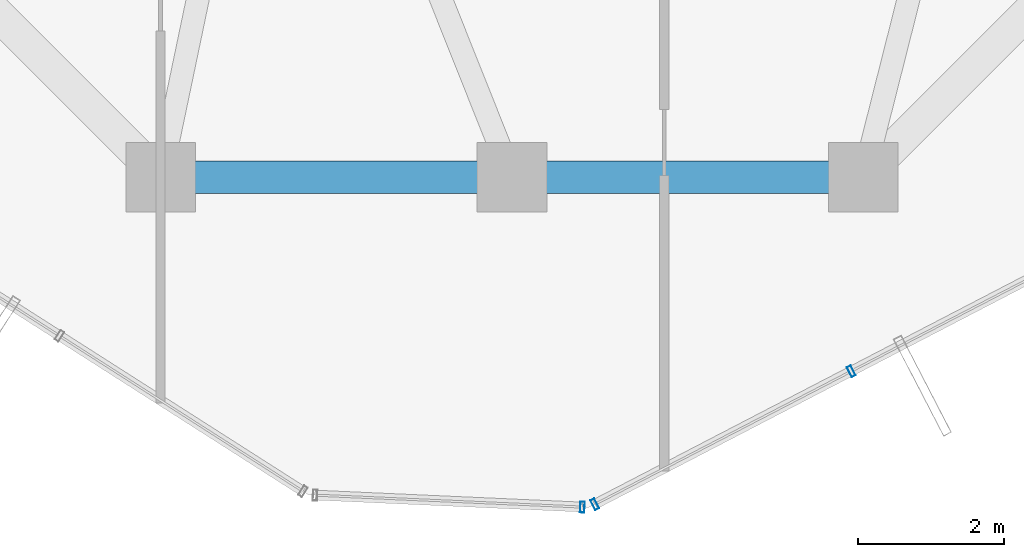
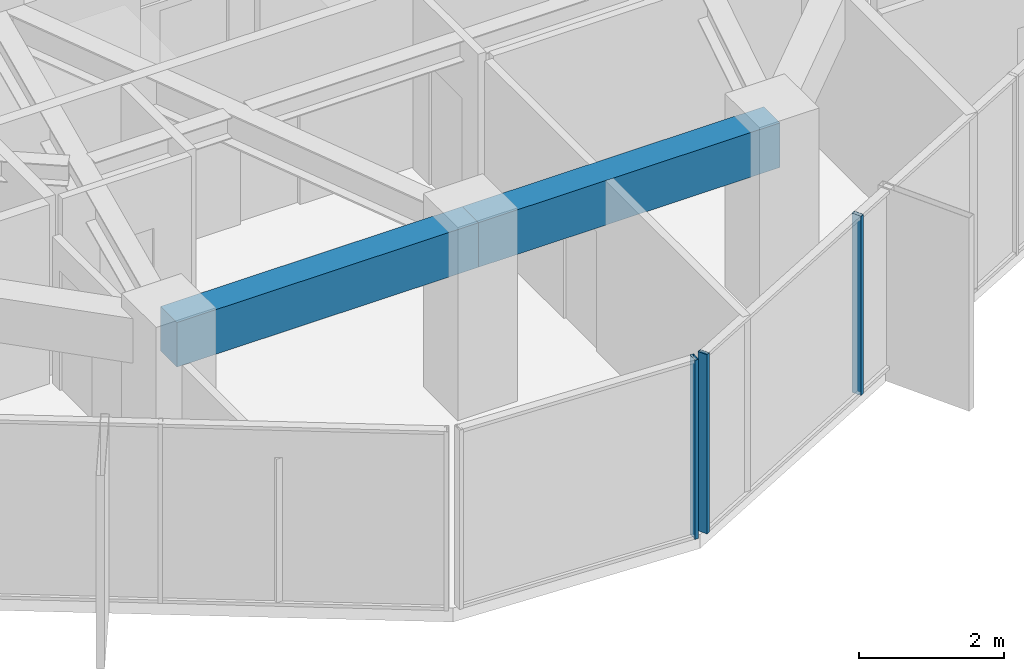
# One storey, part 6 of 29: 3 members, 2 beams, 2 elements without a shape of their own.
"""IFC4 building model written with IfcOpenShell, lengths in metres."""

from ifc_helpers import new_model, si_unit, direction, frame, origin, origin_2d, place, context, subcontext, project, spatial, rectangle, hollow_rectangle, extrude, source, transform, mapped, material, layer, layer_set, material_profile, profile_set, type_object, element, aggregate, save


model = new_model("IFC4")

# Units and contexts
model_context = context("Model", 3, precision=1e-05, world=origin(), true_north=direction((0.0, 1.0)))
body_context = subcontext(model_context, "Body", "Model", "MODEL_VIEW")
ifc_project = project(units=[si_unit("LENGTHUNIT", "METRE"), si_unit("AREAUNIT", "SQUARE_METRE"), si_unit("VOLUMEUNIT", "CUBIC_METRE"), si_unit("PLANEANGLEUNIT", "RADIAN"), si_unit("MASSUNIT", "GRAM", prefix="KILO")], contexts=[model_context])

# Site, building, storey
site_placement = place(None, origin())
site = spatial("IfcSite", under=ifc_project, at=site_placement, CompositionType="ELEMENT")
building_placement = place(site_placement, origin())
building = spatial("IfcBuilding", under=site, at=building_placement, Name="Veraguas Prism Commons", CompositionType="ELEMENT")
storey_placement = place(building_placement, frame((0.0, 0.0, 215.64990234375)))
storey = spatial("IfcBuildingStorey", under=building, at=storey_placement, Name="L61", CompositionType="ELEMENT", Elevation=215.64990234375)

# Beams
ifc_material_1 = material(Name="Concrete C50/60", Category="concrete")
ifc_material_profile_1 = material_profile(ifc_material_1, rectangle(XDim=0.449951171875, YDim=0.75, at=origin_2d()), Name="RC450X750")
ifc_profile_set_1 = profile_set([ifc_material_profile_1], Name="Concrete C50/60")
beam_type = type_object("IfcBeamType", Name="Perimeter Spandrel Upper RC 450x750", PredefinedType="SPANDREL", material=ifc_profile_set_1)
for number, where, z_axis, x_axis, name in (
    (1, (19.199951171875, 9.10009765625, 2.64013671875), (1.0, 0.0, 0.0), (0.0, 1.0, 0.0), "Perimeter Spandrel Beam L61-SP10"),
    (2, (24.0, 9.10009765625, 2.64013671875), (1.0, 0.0, 0.0), (0.0, 1.0, 0.0), "Perimeter Spandrel Beam L61-SP11"),
):
    element("IfcBeam", number, at=place(storey_placement, frame(where, z_axis=z_axis, x_axis=x_axis)), inside=storey, type_object=beam_type, Name=name, PredefinedType="SPANDREL", context=body_context, shape_type="SweptSolid", body=[
        extrude(rectangle(XDim=0.449951171875, YDim=0.75, at=origin_2d()), origin(), (0.0, 0.0, 1.0), 4.800048828125),
    ])

# Curtain wall, members
ifc_material_2 = material(Name="Anodised aluminium EN AW-6063 T6", Category="aluminium")
ifc_layer = layer(ifc_material_2, 0.14990234375, Name="Unitised Flush Curtain Wall Zone 3", Category="aluminium")
ifc_layer_set = layer_set([ifc_layer], Name="Anodised aluminium EN AW-6063 T6")
curtain_wall_type = type_object("IfcCurtainWallType", Name="Unitised Flush Curtain Wall Zone 3", PredefinedType="NOTDEFINED", material=ifc_layer_set)
curtain_wall_1_placement = place(storey_placement, origin())
curtain_wall_1 = element("IfcCurtainWall", 3, at=curtain_wall_1_placement, inside=storey, type_object=curtain_wall_type, Name="Tower Facade Curtain Wall L61-F5", PredefinedType="NOTDEFINED")
ifc_material_profile_2 = material_profile(ifc_material_2, hollow_rectangle(XDim=0.06005859375, YDim=0.14990234375, WallThickness=0.0029296875, at=origin_2d()), Name="AL60X150X3")
ifc_profile_set_2 = profile_set([ifc_material_profile_2], Name="Anodised aluminium EN AW-6063 T6")
member_type = type_object("IfcMemberType", Name="Curtain Wall Mullion Upper AL 60x150x3", PredefinedType="MULLION", material=ifc_profile_set_2)
shared_shape = source(origin(), body_context, "Body", "SweptSolid", [
    extrude(hollow_rectangle(XDim=0.06005859375, YDim=0.14990234375, WallThickness=0.0029296875, at=origin_2d()), origin(), (0.0, 0.0, 1.0), 3.01513671875),
])
member_1_placement = place(storey_placement, frame((25.131103515625, 4.632080078125, 0.0), z_axis=(0.0, 0.0, 1.0), x_axis=(0.887493888749, 0.46081948465, 0.0)))
member_1 = element("IfcMember", 4, at=member_1_placement, type_object=member_type, Name="CW-Z3 Mullion 1", PredefinedType="MULLION", context=body_context, shape_type="MappedRepresentation", body=[
    mapped(shared_shape, transform((0.0, 0.0, 0.0), scale=1.0)),
])
member_2_placement = place(storey_placement, frame((28.6328125, 6.4501953125, 0.0), z_axis=(0.0, 0.0, 1.0), x_axis=(0.887493888749, 0.46081948465, 0.0)))
member_2 = element("IfcMember", 5, at=member_2_placement, type_object=member_type, Name="CW-Z3 Mullion 2", PredefinedType="MULLION", context=body_context, shape_type="MappedRepresentation", body=[
    mapped(shared_shape, transform((0.0, 0.0, 0.0), scale=1.0)),
])
aggregate(curtain_wall_1, [member_1, member_2])

# Curtain wall, member
curtain_wall_2_placement = place(storey_placement, origin())
curtain_wall_2 = element("IfcCurtainWall", 6, at=curtain_wall_2_placement, inside=storey, type_object=curtain_wall_type, Name="Chamfer Curtain Wall L61-C5", PredefinedType="NOTDEFINED")
member_3_placement = place(storey_placement, frame((24.96142578125, 4.5947265625, 0.0), z_axis=(0.0, 0.0, 1.0), x_axis=(0.999003242593, -0.044637666692, 0.0)))
member_3 = element("IfcMember", 7, at=member_3_placement, type_object=member_type, Name="CW-Z3 Mullion 2", PredefinedType="MULLION", context=body_context, shape_type="MappedRepresentation", body=[
    mapped(shared_shape, transform((0.0, 0.0, 0.0), scale=1.0)),
])
aggregate(curtain_wall_2, [member_3])

save(model, "model.ifc")
